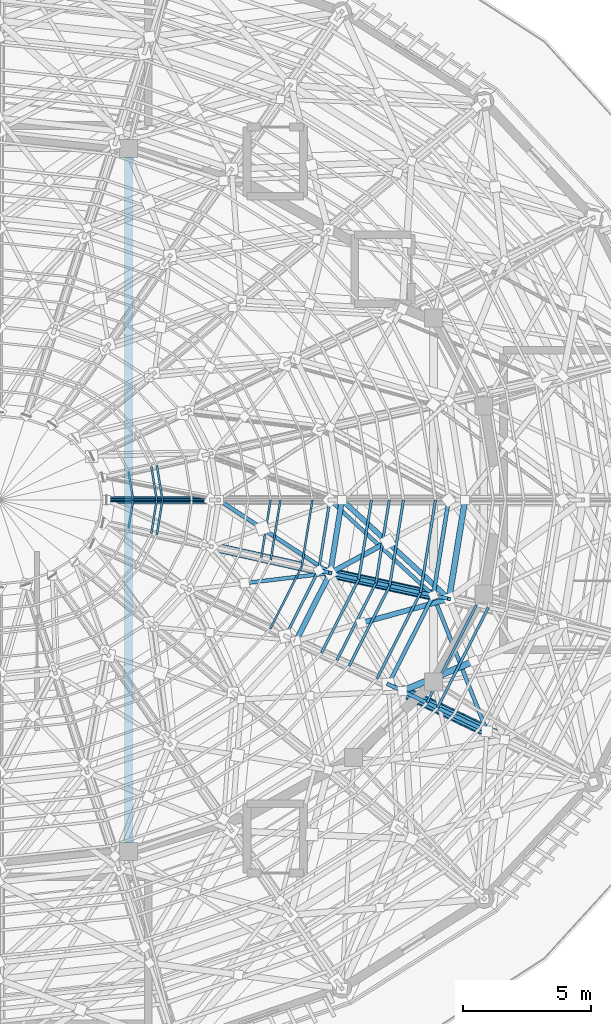
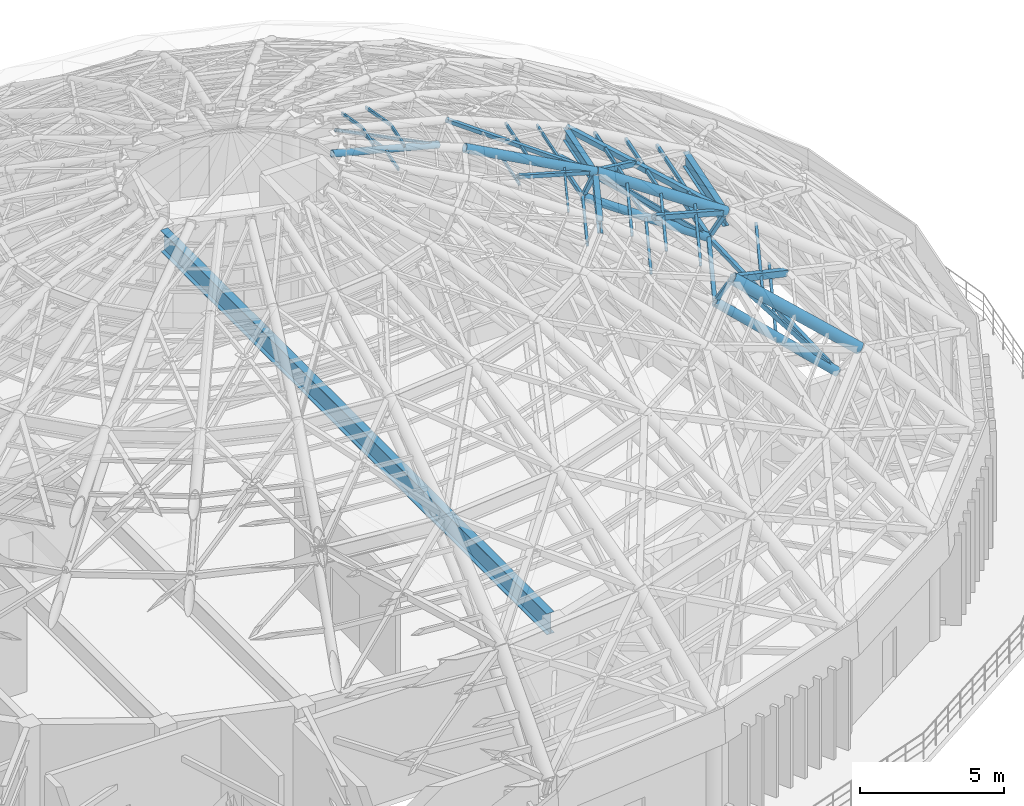
# One storey, part 20 of 50: 44 members, 4 beams.
"""IFC4 building model written with IfcOpenShell, lengths in metres."""

from ifc_helpers import new_model, si_unit, direction, frame, origin, origin_2d, place, context, subcontext, project, spatial, hollow_rectangle, hollow_circle, i_section, extrude, material, material_profile, profile_set, type_object, element, save


model = new_model("IFC4")

# Units and contexts
model_context = context("Model", 3, precision=1e-05, world=origin(), true_north=direction((0.0, 1.0)))
body_context = subcontext(model_context, "Body", "Model", "MODEL_VIEW")
ifc_project = project(units=[si_unit("LENGTHUNIT", "METRE"), si_unit("AREAUNIT", "SQUARE_METRE"), si_unit("VOLUMEUNIT", "CUBIC_METRE"), si_unit("PLANEANGLEUNIT", "RADIAN"), si_unit("MASSUNIT", "GRAM", prefix="KILO")], contexts=[model_context])

# Site, building, storey
site_placement = place(None, origin())
site = spatial("IfcSite", under=ifc_project, at=site_placement, CompositionType="ELEMENT")
building_placement = place(site_placement, origin())
building = spatial("IfcBuilding", under=site, at=building_placement, Name="Cinderbank Siding Concert Hall", CompositionType="ELEMENT")
storey_placement = place(building_placement, frame((0.0, 0.0, 23.699951171875)))
storey = spatial("IfcBuildingStorey", under=building, at=storey_placement, Name="L06", CompositionType="ELEMENT", Elevation=23.699951171875)

# Beams
ifc_material_1 = material(Name="Structural steel AS/NZS 3679.1 Grade 350 (340 MPa)", Category="steel")
ifc_material_profile_1 = material_profile(ifc_material_1, i_section(OverallWidth=0.208984375, OverallDepth=0.532958984375, WebThickness=0.01025390625, FlangeThickness=0.015625, at=origin_2d()), Name="530UB92.4", Category="LoadBearing")
ifc_profile_set_1 = profile_set([ifc_material_profile_1], Name="Structural steel AS/NZS 3679.1 Grade 350 (340 MPa)")
beam_type_1 = type_object("IfcBeamType", Name="BM-UB530H 530UB92.4", PredefinedType="BEAM", material=ifc_profile_set_1)
beam_1_placement = place(storey_placement, frame((133.604736328125, 38.5, 13.733642578125), z_axis=(0.450464034006, 0.892794575514, 0.0), x_axis=(-0.892794575514, 0.450464034006, 0.0)))
element("IfcBeam", 1, at=beam_1_placement, inside=storey, type_object=beam_type_1, Name="L06 Beam BM-UB530H #2092", PredefinedType="BEAM", context=body_context, shape_type="SweptSolid", body=[
    extrude(i_section(OverallWidth=0.208984375, OverallDepth=0.532958984375, WebThickness=0.01025390625, FlangeThickness=0.015625, at=origin_2d()), origin(), (0.0, 0.0, 1.0), 2.9716796875),
])
beam_2_placement = place(storey_placement, frame((134.943359375, 41.153076171875, 13.733642578125), z_axis=(0.158340547868, 0.987384560797, 0.0), x_axis=(-0.987384560797, 0.158340547868, 0.0)))
element("IfcBeam", 2, at=beam_2_placement, inside=storey, type_object=beam_type_1, Name="L06 Beam BM-UB530H #2093", PredefinedType="BEAM", context=body_context, shape_type="SweptSolid", body=[
    extrude(i_section(OverallWidth=0.208984375, OverallDepth=0.532958984375, WebThickness=0.01025390625, FlangeThickness=0.015625, at=origin_2d()), origin(), (0.0, 0.0, 1.0), 2.88330078125),
])
ifc_material_profile_2 = material_profile(ifc_material_1, i_section(OverallWidth=0.22900390625, OverallDepth=0.611572265625, WebThickness=0.011962890625, FlangeThickness=0.01953125, at=origin_2d()), Name="610UB125", Category="LoadBearing")
ifc_profile_set_2 = profile_set([ifc_material_profile_2], Name="Structural steel AS/NZS 3679.1 Grade 350 (340 MPa)")
beam_type_2 = type_object("IfcBeamType", Name="BM-UB610H 610UB125", PredefinedType="BEAM", material=ifc_profile_set_2)
beam_3_placement = place(storey_placement, frame((139.579833984375, 40.1435546875, 10.994140625), z_axis=(0.158760786177, 0.987317078133, 0.0), x_axis=(-0.987317078133, 0.158760786177, 0.0)))
element("IfcBeam", 3, at=beam_3_placement, inside=storey, type_object=beam_type_2, Name="L06 Beam BM-UB610H #2071", PredefinedType="BEAM", context=body_context, shape_type="SweptSolid", body=[
    extrude(i_section(OverallWidth=0.22900390625, OverallDepth=0.611572265625, WebThickness=0.011962890625, FlangeThickness=0.01953125, at=origin_2d()), origin(), (0.0, 0.0, 1.0), 3.906005859375),
])
ifc_material_2 = material(Name="Structural steel welded plate section AS/NZS 3679.2 / AS/NZS 3678 Grade 350 (340 MPa)", Category="steel")
ifc_material_profile_3 = material_profile(ifc_material_2, i_section(OverallWidth=0.300048828125, OverallDepth=0.89990234375, WebThickness=0.013916015625, FlangeThickness=0.02490234375, at=origin_2d()), Name="900WB218", Category="LoadBearing")
ifc_profile_set_3 = profile_set([ifc_material_profile_3], Name="Structural steel welded plate section AS/NZS 3679.2 / AS/NZS 3678 Grade 350 (340 MPa)")
beam_type_3 = type_object("IfcBeamType", Name="BM-WB900 900WB218", PredefinedType="BEAM", material=ifc_profile_set_3)
beam_4_placement = place(storey_placement, frame((127.072998046875, 57.3740234375, 4.052001953125), z_axis=(0.0, -1.0, 0.0), x_axis=(1.0, 0.0, 0.0)))
element("IfcBeam", 4, at=beam_4_placement, inside=storey, type_object=beam_type_3, Name="L06 Beam BM-WB900 #123", PredefinedType="BEAM", context=body_context, shape_type="SweptSolid", body=[
    extrude(i_section(OverallWidth=0.300048828125, OverallDepth=0.89990234375, WebThickness=0.013916015625, FlangeThickness=0.02490234375, at=origin_2d()), origin(), (0.0, 0.0, 1.0), 26.748046875),
])

# Members
ifc_material_3 = material(Name="Structural steel hollow section AS/NZS 1163 Grade C350L0 (350 MPa)", Category="steel")
ifc_material_profile_4 = material_profile(ifc_material_3, hollow_circle(Radius=0.06982421875, WallThickness=0.00634765625, at=origin_2d()), Name="139.7x6.4CHS", Category="LoadBearing")
ifc_profile_set_4 = profile_set([ifc_material_profile_4], Name="Structural steel hollow section AS/NZS 1163 Grade C350L0 (350 MPa)")
member_type_1 = type_object("IfcMemberType", Name="BR-CHS139 139.7x6.4CHS Roof Truss", PredefinedType="BRACE", material=ifc_profile_set_4)
member_1_placement = place(storey_placement, frame((130.299072265625, 44.0, 15.050048828125), z_axis=(-0.894384571831, 0.0, 0.447298823685), x_axis=(0.0, -1.0, 0.0)))
element("IfcMember", 5, at=member_1_placement, inside=storey, type_object=member_type_1, Name="L06 Diagonal Brace BR-CHS139 #DWBD-BR-CHS139-L06-1682", PredefinedType="BRACE", context=body_context, shape_type="SweptSolid", body=[
    extrude(hollow_circle(Radius=0.06982421875, WallThickness=0.00634765625, at=origin_2d()), origin(), (0.0, 0.0, 1.0), 4.583251953125),
])
ifc_material_profile_5 = material_profile(ifc_material_3, hollow_rectangle(XDim=0.14990234375, YDim=0.14990234375, WallThickness=0.008056640625, at=origin_2d()), Name="150x150x8.0SHS", Category="LoadBearing")
ifc_profile_set_5 = profile_set([ifc_material_profile_5], Name="Structural steel hollow section AS/NZS 1163 Grade C350L0 (350 MPa)")
member_type_2 = type_object("IfcMemberType", Name="BR-SHS150 150x150x8.0SHS Roof Truss", PredefinedType="BRACE", material=ifc_profile_set_5)
member_2_placement = place(storey_placement, frame((141.05419921875, 34.977294921875, 7.150146484375), z_axis=(-0.595826022207, 0.28461450653, 0.750989969263), x_axis=(-0.431029288808, -0.902337936801, 0.0)))
element("IfcMember", 6, at=member_2_placement, inside=storey, type_object=member_type_2, Name="L06 Diagonal Brace BR-SHS150 #DWBD-BR-SHS150-L06-1082", PredefinedType="BRACE", context=body_context, shape_type="SweptSolid", body=[
    extrude(hollow_rectangle(XDim=0.14990234375, YDim=0.14990234375, WallThickness=0.008056640625, at=origin_2d()), origin(), (0.0, 0.0, 1.0), 5.52587890625),
])
member_3_placement = place(storey_placement, frame((141.05419921875, 34.977294921875, 7.150146484375), z_axis=(-0.319742572915, 0.811180071069, 0.489644339666), x_axis=(-0.930335319944, -0.366709956866, 0.0)))
element("IfcMember", 7, at=member_3_placement, inside=storey, type_object=member_type_2, Name="L06 Diagonal Brace BR-SHS150 #DBRI-BR-SHS150-L06-1091", PredefinedType="BRACE", context=body_context, shape_type="SweptSolid", body=[
    extrude(hollow_rectangle(XDim=0.14990234375, YDim=0.14990234375, WallThickness=0.008056640625, at=origin_2d()), origin(), (0.0, 0.0, 1.0), 6.53515625),
])
member_4_placement = place(storey_placement, frame((137.2099609375, 36.810791015625, 10.35009765625), z_axis=(0.488677434703, -0.23093252224, 0.841346857713), x_axis=(0.427260709515, 0.9041284677, 0.0)))
element("IfcMember", 8, at=member_4_placement, inside=storey, type_object=member_type_2, Name="L06 Diagonal Brace BR-SHS150 #DWBV-BR-SHS150-L06-1373", PredefinedType="BRACE", context=body_context, shape_type="SweptSolid", body=[
    extrude(hollow_rectangle(XDim=0.14990234375, YDim=0.14990234375, WallThickness=0.008056640625, at=origin_2d()), origin(), (0.0, 0.0, 1.0), 1.129150390625),
])
member_5_placement = place(storey_placement, frame((138.964599609375, 40.278564453125, 10.35009765625), z_axis=(-0.731050843587, 0.158983918507, 0.663542596784), x_axis=(-0.212505996554, -0.97715976249, 0.0)))
element("IfcMember", 9, at=member_5_placement, inside=storey, type_object=member_type_2, Name="L06 Diagonal Brace BR-SHS150 #DWBD-BR-SHS150-L06-1382", PredefinedType="BRACE", context=body_context, shape_type="SweptSolid", body=[
    extrude(hollow_rectangle(XDim=0.14990234375, YDim=0.14990234375, WallThickness=0.008056640625, at=origin_2d()), origin(), (0.0, 0.0, 1.0), 5.500732421875),
])
member_6_placement = place(storey_placement, frame((138.964599609375, 40.278564453125, 10.35009765625), z_axis=(0.539773108895, -0.118450210008, 0.833435383616), x_axis=(0.214344160509, 0.976758199789, 0.0)))
element("IfcMember", 10, at=member_6_placement, inside=storey, type_object=member_type_2, Name="L06 Diagonal Brace BR-SHS150 #DWBV-BR-SHS150-L06-1385", PredefinedType="BRACE", context=body_context, shape_type="SweptSolid", body=[
    extrude(hollow_rectangle(XDim=0.14990234375, YDim=0.14990234375, WallThickness=0.008056640625, at=origin_2d()), origin(), (0.0, 0.0, 1.0), 1.139892578125),
])
member_7_placement = place(storey_placement, frame((138.964599609375, 40.278564453125, 10.35009765625), z_axis=(-0.659495450342, 0.608442631011, 0.441433251745), x_axis=(-0.678086078663, -0.734982496338, 0.0)))
element("IfcMember", 11, at=member_7_placement, inside=storey, type_object=member_type_2, Name="L06 Diagonal Brace BR-SHS150 #DBRI-BR-SHS150-L06-1391", PredefinedType="BRACE", context=body_context, shape_type="SweptSolid", body=[
    extrude(hollow_rectangle(XDim=0.14990234375, YDim=0.14990234375, WallThickness=0.008056640625, at=origin_2d()), origin(), (0.0, 0.0, 1.0), 6.1162109375),
])
member_8_placement = place(storey_placement, frame((134.943359375, 41.153076171875, 14.0), z_axis=(-0.93389252243, -0.110977800298, 0.339895107922), x_axis=(0.118003322633, -0.993013200238, 0.0)))
element("IfcMember", 12, at=member_8_placement, inside=storey, type_object=member_type_2, Name="L06 Diagonal Brace BR-SHS150 #DBRO-BR-SHS150-L06-1666", PredefinedType="BRACE", context=body_context, shape_type="SweptSolid", body=[
    extrude(hollow_rectangle(XDim=0.14990234375, YDim=0.14990234375, WallThickness=0.008056640625, at=origin_2d()), origin(), (0.0, 0.0, 1.0), 3.5771484375),
])
member_9_placement = place(storey_placement, frame((134.490478515625, 41.252685546875, 13.050048828125), z_axis=(0.428423947592, -0.09423017284, 0.898650986566), x_axis=(0.214811563111, 0.976655513655, 0.0)))
element("IfcMember", 13, at=member_9_placement, inside=storey, type_object=member_type_2, Name="L06 Diagonal Brace BR-SHS150 #DWBV-BR-SHS150-L06-1673", PredefinedType="BRACE", context=body_context, shape_type="SweptSolid", body=[
    extrude(hollow_rectangle(XDim=0.14990234375, YDim=0.14990234375, WallThickness=0.008056640625, at=origin_2d()), origin(), (0.0, 0.0, 1.0), 1.05712890625),
])
member_10_placement = place(storey_placement, frame((134.943359375, 41.153076171875, 14.0), z_axis=(-0.780464451769, 0.511579312652, 0.359390938105), x_axis=(-0.548206587498, -0.836342954429, 0.0)))
element("IfcMember", 14, at=member_10_placement, inside=storey, type_object=member_type_2, Name="L06 Diagonal Brace BR-SHS150 #DBRO-BR-SHS150-L06-1677", PredefinedType="BRACE", context=body_context, shape_type="SweptSolid", body=[
    extrude(hollow_rectangle(XDim=0.14990234375, YDim=0.14990234375, WallThickness=0.008056640625, at=origin_2d()), origin(), (0.0, 0.0, 1.0), 5.56494140625),
])
ifc_material_profile_6 = material_profile(ifc_material_3, hollow_rectangle(XDim=0.199951171875, YDim=0.199951171875, WallThickness=0.009033203125, at=origin_2d()), Name="200x200x9.0SHS", Category="LoadBearing")
ifc_profile_set_6 = profile_set([ifc_material_profile_6], Name="Structural steel hollow section AS/NZS 1163 Grade C350L0 (350 MPa)")
member_type_3 = type_object("IfcMemberType", Name="BR-SHS200 200x200x9.0SHS Roof Truss", PredefinedType="BRACE", material=ifc_profile_set_6)
member_11_placement = place(storey_placement, frame((139.579833984375, 40.1435546875, 11.300048828125), z_axis=(-0.883924074417, -0.243109044486, 0.399469927723), x_axis=(0.26518682948, -0.964197047014, 0.0)))
element("IfcMember", 15, at=member_11_placement, inside=storey, type_object=member_type_3, Name="L06 Diagonal Brace BR-SHS200 #DBRO-BR-SHS200-L06-1378", PredefinedType="BRACE", context=body_context, shape_type="SweptSolid", body=[
    extrude(hollow_rectangle(XDim=0.199951171875, YDim=0.199951171875, WallThickness=0.009033203125, at=origin_2d()), origin(), (0.0, 0.0, 1.0), 3.87548828125),
])
member_12_placement = place(storey_placement, frame((139.579833984375, 40.1435546875, 11.300048828125), z_axis=(-0.663951990184, 0.612568520352, 0.428867768205), x_axis=(-0.678094653036, -0.734974585631, 0.0)))
element("IfcMember", 16, at=member_12_placement, inside=storey, type_object=member_type_3, Name="L06 Diagonal Brace BR-SHS200 #DBRO-BR-SHS200-L06-1389", PredefinedType="BRACE", context=body_context, shape_type="SweptSolid", body=[
    extrude(hollow_rectangle(XDim=0.199951171875, YDim=0.199951171875, WallThickness=0.009033203125, at=origin_2d()), origin(), (0.0, 0.0, 1.0), 6.295654296875),
])
member_13_placement = place(storey_placement, frame((137.16357421875, 42.35546875, 12.859619140625), z_axis=(-0.801382165454, -0.434001227718, 0.411618220237), x_axis=(0.476214618135, -0.879329083719, 0.0)))
element("IfcMember", 17, at=member_13_placement, inside=storey, type_object=member_type_3, Name="L06 Diagonal Brace BR-SHS200 #DBRO-BR-SHS200-L06-1390-S128", PredefinedType="BRACE", context=body_context, shape_type="SweptSolid", body=[
    extrude(hollow_rectangle(XDim=0.199951171875, YDim=0.199951171875, WallThickness=0.009033203125, at=origin_2d()), origin(), (0.0, 0.0, 1.0), 2.7705078125),
])
ifc_material_profile_7 = material_profile(ifc_material_3, hollow_rectangle(XDim=0.25, YDim=0.25, WallThickness=0.010009765625, at=origin_2d()), Name="250x250x10.0SHS", Category="LoadBearing")
ifc_profile_set_7 = profile_set([ifc_material_profile_7], Name="Structural steel hollow section AS/NZS 1163 Grade C350L0 (350 MPa)")
member_type_4 = type_object("IfcMemberType", Name="BR-SHS250 250x250x10.0SHS Roof Truss", PredefinedType="BRACE", material=ifc_profile_set_7)
member_14_placement = place(storey_placement, frame((140.527099609375, 37.702880859375, 9.88671875), z_axis=(-0.834786362897, -0.348005756652, 0.426642381461), x_axis=(0.384783174657, -0.923006992661, 0.0)))
element("IfcMember", 18, at=member_14_placement, inside=storey, type_object=member_type_4, Name="L06 Diagonal Brace BR-SHS250 #DBRO-BR-SHS250-L06-1090-S103", PredefinedType="BRACE", context=body_context, shape_type="SweptSolid", body=[
    extrude(hollow_rectangle(XDim=0.25, YDim=0.25, WallThickness=0.010009765625, at=origin_2d()), origin(), (0.0, 0.0, 1.0), 3.312744140625),
])
ifc_material_profile_8 = material_profile(ifc_material_3, hollow_circle(Radius=0.136474609375, WallThickness=0.00927734375, at=origin_2d()), Name="273.1x9.3CHS", Category="LoadBearing")
ifc_profile_set_8 = profile_set([ifc_material_profile_8], Name="Structural steel hollow section AS/NZS 1163 Grade C350L0 (350 MPa)")
member_type_5 = type_object("IfcMemberType", Name="DR-CHS273 273.1x9.3CHS Roof Truss", PredefinedType="RAFTER", material=ifc_profile_set_8)
member_15_placement = place(storey_placement, frame((130.299072265625, 44.0, 15.050048828125), z_axis=(-0.968037950521, 0.0, 0.25080376064), x_axis=(0.0, -1.0, 0.0)))
element("IfcMember", 19, at=member_15_placement, inside=storey, type_object=member_type_5, Name="L06 Roof Truss Member DR-CHS273 #1681", PredefinedType="RAFTER", context=body_context, shape_type="SweptSolid", body=[
    extrude(hollow_circle(Radius=0.136474609375, WallThickness=0.00927734375, at=origin_2d()), origin(), (0.0, 0.0, 1.0), 4.38623046875),
])
ifc_material_profile_9 = material_profile(ifc_material_3, hollow_circle(Radius=0.161865234375, WallThickness=0.0126953125, at=origin_2d()), Name="323.9x12.7CHS", Category="LoadBearing")
ifc_profile_set_9 = profile_set([ifc_material_profile_9], Name="Structural steel hollow section AS/NZS 1163 Grade C350L0 (350 MPa)")
member_type_6 = type_object("IfcMemberType", Name="DR-CHS323 323.9x12.7CHS Roof Truss", PredefinedType="RAFTER", material=ifc_profile_set_9)
member_16_placement = place(storey_placement, frame((138.964599609375, 40.278564453125, 10.35009765625), z_axis=(-0.84168436413, 0.183254426109, 0.507922480788), x_axis=(-0.212739533532, -0.977108945242, 0.0)))
element("IfcMember", 20, at=member_16_placement, inside=storey, type_object=member_type_6, Name="L06 Roof Truss Member DR-CHS323 #1381", PredefinedType="RAFTER", context=body_context, shape_type="SweptSolid", body=[
    extrude(hollow_circle(Radius=0.161865234375, WallThickness=0.0126953125, at=origin_2d()), origin(), (0.0, 0.0, 1.0), 5.315673828125),
])
ifc_material_profile_10 = material_profile(ifc_material_3, hollow_circle(Radius=0.177734375, WallThickness=0.0126953125, at=origin_2d()), Name="355.6x12.7CHS", Category="LoadBearing")
ifc_profile_set_10 = profile_set([ifc_material_profile_10], Name="Structural steel hollow section AS/NZS 1163 Grade C350L0 (350 MPa)")
member_type_7 = type_object("IfcMemberType", Name="DR-CHS355 355.6x12.7CHS Roof Truss", PredefinedType="RAFTER", material=ifc_profile_set_10)
member_17_placement = place(storey_placement, frame((141.05419921875, 34.977294921875, 7.150146484375), z_axis=(-0.721618143881, 0.344173266896, 0.600676299495), x_axis=(-0.430489767889, -0.902595457413, 0.0)))
element("IfcMember", 21, at=member_17_placement, inside=storey, type_object=member_type_7, Name="L06 Roof Truss Member DR-CHS355 #1081", PredefinedType="RAFTER", context=body_context, shape_type="SweptSolid", body=[
    extrude(hollow_circle(Radius=0.177734375, WallThickness=0.0126953125, at=origin_2d()), origin(), (0.0, 0.0, 1.0), 5.3271484375),
])
member_18_placement = place(storey_placement, frame((134.943359375, 41.153076171875, 14.0), z_axis=(-0.899507554833, 0.200827340977, 0.388013579548), x_axis=(-0.217898925062, -0.975971341002, 0.0)))
element("IfcMember", 22, at=member_18_placement, inside=storey, type_object=member_type_7, Name="L06 Roof Truss Member DR-CHS355 #1668", PredefinedType="RAFTER", context=body_context, shape_type="SweptSolid", body=[
    extrude(hollow_circle(Radius=0.177734375, WallThickness=0.0126953125, at=origin_2d()), origin(), (0.0, 0.0, 1.0), 5.154541015625),
])
ifc_material_profile_11 = material_profile(ifc_material_3, hollow_circle(Radius=0.203125, WallThickness=0.01611328125, at=origin_2d()), Name="406.4x16.0CHS", Category="LoadBearing")
ifc_profile_set_11 = profile_set([ifc_material_profile_11], Name="Structural steel hollow section AS/NZS 1163 Grade C350L0 (350 MPa)")
member_type_8 = type_object("IfcMemberType", Name="DR-CHS406 406.4x16.0CHS Roof Truss", PredefinedType="RAFTER", material=ifc_profile_set_11)
member_19_placement = place(storey_placement, frame((139.579833984375, 40.1435546875, 11.300048828125), z_axis=(-0.849254264776, 0.18491213653, 0.494544937821), x_axis=(-0.212750040998, -0.977106657461, 0.0)))
element("IfcMember", 23, at=member_19_placement, inside=storey, type_object=member_type_8, Name="L06 Roof Truss Member DR-CHS406 #1380", PredefinedType="RAFTER", context=body_context, shape_type="SweptSolid", body=[
    extrude(hollow_circle(Radius=0.203125, WallThickness=0.01611328125, at=origin_2d()), origin(), (0.0, 0.0, 1.0), 5.45947265625),
])
ifc_material_profile_12 = material_profile(ifc_material_3, hollow_circle(Radius=0.228515625, WallThickness=0.01611328125, at=origin_2d()), Name="457.0x16.0CHS", Category="LoadBearing")
ifc_profile_set_12 = profile_set([ifc_material_profile_12], Name="Structural steel hollow section AS/NZS 1163 Grade C350L0 (350 MPa)")
member_type_9 = type_object("IfcMemberType", Name="DR-CHS457 457.0x16.0CHS Roof Truss", PredefinedType="RAFTER", material=ifc_profile_set_12)
member_20_placement = place(storey_placement, frame((141.745361328125, 34.64990234375, 8.10009765625), z_axis=(-0.73073263404, 0.348550106682, 0.586977546998), x_axis=(-0.430519669304, -0.902581195429, 0.0)))
element("IfcMember", 24, at=member_20_placement, inside=storey, type_object=member_type_9, Name="L06 Roof Truss Member DR-CHS457 #1080", PredefinedType="RAFTER", context=body_context, shape_type="SweptSolid", body=[
    extrude(hollow_circle(Radius=0.228515625, WallThickness=0.01611328125, at=origin_2d()), origin(), (0.0, 0.0, 1.0), 5.45166015625),
])
ifc_material_profile_13 = material_profile(ifc_material_3, hollow_rectangle(XDim=0.074951171875, YDim=0.125, WallThickness=0.0048828125, at=origin_2d()), Name="125x75x5.0RHS", Category="LoadBearing")
ifc_profile_set_13 = profile_set([ifc_material_profile_13], Name="Structural steel hollow section AS/NZS 1163 Grade C350L0 (350 MPa)")
member_type_10 = type_object("IfcMemberType", Name="PR-RHS125 125x75x5.0RHS Roof Truss", PredefinedType="PURLIN", material=ifc_profile_set_13)
member_21_placement = place(storey_placement, frame((132.60693359375, 38.97998046875, 14.47998046875), z_axis=(0.451060515415, 0.892493367725, 0.0), x_axis=(-0.892493367725, 0.451060515415, 0.0)))
element("IfcMember", 25, at=member_21_placement, inside=storey, type_object=member_type_10, Name="L06 Roof Truss Member PR-RHS125 #1662", PredefinedType="PURLIN", context=body_context, shape_type="SweptSolid", body=[
    extrude(hollow_rectangle(XDim=0.074951171875, YDim=0.125, WallThickness=0.0048828125, at=origin_2d()), origin(), (0.0, 0.0, 1.0), 2.71337890625),
])
member_22_placement = place(storey_placement, frame((132.25341796875, 41.752197265625, 14.050048828125), z_axis=(0.15881436208, 0.987308461625, 0.0), x_axis=(-0.987308461625, 0.15881436208, 0.0)))
element("IfcMember", 26, at=member_22_placement, inside=storey, type_object=member_type_10, Name="L06 Roof Truss Member PR-RHS125 #1672", PredefinedType="PURLIN", context=body_context, shape_type="SweptSolid", body=[
    extrude(hollow_rectangle(XDim=0.074951171875, YDim=0.125, WallThickness=0.0048828125, at=origin_2d()), origin(), (0.0, 0.0, 1.0), 2.276611328125),
])
member_23_placement = place(storey_placement, frame((133.830810546875, 41.401611328125, 14.47998046875), z_axis=(0.158544057457, 0.987351903753, 0.0), x_axis=(-0.987351903753, 0.158544057457, 0.0)))
element("IfcMember", 27, at=member_23_placement, inside=storey, type_object=member_type_10, Name="L06 Roof Truss Member PR-RHS125 #1674", PredefinedType="PURLIN", context=body_context, shape_type="SweptSolid", body=[
    extrude(hollow_rectangle(XDim=0.074951171875, YDim=0.125, WallThickness=0.0048828125, at=origin_2d()), origin(), (0.0, 0.0, 1.0), 2.631591796875),
])
member_24_placement = place(storey_placement, frame((132.625244140625, 41.670654296875, 15.0), z_axis=(0.158842014488, 0.987304013176, 0.0), x_axis=(-0.987304013176, 0.158842014488, 0.0)))
element("IfcMember", 28, at=member_24_placement, inside=storey, type_object=member_type_10, Name="L06 Roof Truss Member PR-RHS125 #1675", PredefinedType="PURLIN", context=body_context, shape_type="SweptSolid", body=[
    extrude(hollow_rectangle(XDim=0.074951171875, YDim=0.125, WallThickness=0.0048828125, at=origin_2d()), origin(), (0.0, 0.0, 1.0), 2.359375),
])
member_25_placement = place(storey_placement, frame((128.176025390625, 44.0, 15.60009765625), z_axis=(-0.159973412457, 0.987121323499, 0.0), x_axis=(-0.987121323499, -0.159973412457, 0.0)))
element("IfcMember", 29, at=member_25_placement, inside=storey, type_object=member_type_10, Name="L06 Roof Truss Member PR-RHS125 #1684", PredefinedType="PURLIN", context=body_context, shape_type="SweptSolid", body=[
    extrude(hollow_rectangle(XDim=0.074951171875, YDim=0.125, WallThickness=0.0048828125, at=origin_2d()), origin(), (0.0, 0.0, 1.0), 1.3154296875),
])
member_26_placement = place(storey_placement, frame((128.39990234375, 44.0, 16.550048828125), z_axis=(-0.159924955283, 0.987129175274, 0.0), x_axis=(-0.987129175274, -0.159924955283, 0.0)))
element("IfcMember", 30, at=member_26_placement, inside=storey, type_object=member_type_10, Name="L06 Roof Truss Member PR-RHS125 #1687", PredefinedType="PURLIN", context=body_context, shape_type="SweptSolid", body=[
    extrude(hollow_rectangle(XDim=0.074951171875, YDim=0.125, WallThickness=0.0048828125, at=origin_2d()), origin(), (0.0, 0.0, 1.0), 1.36328125),
])
member_27_placement = place(storey_placement, frame((127.256103515625, 44.0, 16.8359375), z_axis=(-0.160289688382, 0.987070015652, 0.0), x_axis=(-0.987070015652, -0.160289688382, 0.0)))
element("IfcMember", 31, at=member_27_placement, inside=storey, type_object=member_type_10, Name="L06 Roof Truss Member PR-RHS125 #1688", PredefinedType="PURLIN", context=body_context, shape_type="SweptSolid", body=[
    extrude(hollow_rectangle(XDim=0.074951171875, YDim=0.125, WallThickness=0.0048828125, at=origin_2d()), origin(), (0.0, 0.0, 1.0), 1.117919921875),
])
member_28_placement = place(storey_placement, frame((127.965576171875, 42.701416015625, 15.60009765625), z_axis=(0.159973412457, 0.987121323499, 0.0), x_axis=(-0.987121323499, 0.159973412457, 0.0)))
element("IfcMember", 32, at=member_28_placement, inside=storey, type_object=member_type_10, Name="L06 Roof Truss Member PR-RHS125 #1914", PredefinedType="PURLIN", context=body_context, shape_type="SweptSolid", body=[
    extrude(hollow_rectangle(XDim=0.074951171875, YDim=0.125, WallThickness=0.0048828125, at=origin_2d()), origin(), (0.0, 0.0, 1.0), 1.3154296875),
])
member_29_placement = place(storey_placement, frame((128.181884765625, 42.654296875, 16.550048828125), z_axis=(0.159924955283, 0.987129175274, 0.0), x_axis=(-0.987129175274, 0.159924955283, 0.0)))
element("IfcMember", 33, at=member_29_placement, inside=storey, type_object=member_type_10, Name="L06 Roof Truss Member PR-RHS125 #1917", PredefinedType="PURLIN", context=body_context, shape_type="SweptSolid", body=[
    extrude(hollow_rectangle(XDim=0.074951171875, YDim=0.125, WallThickness=0.0048828125, at=origin_2d()), origin(), (0.0, 0.0, 1.0), 1.36328125),
])
member_30_placement = place(storey_placement, frame((127.076904296875, 42.896484375, 16.8359375), z_axis=(0.160289688382, 0.987070015652, 0.0), x_axis=(-0.987070015652, 0.160289688382, 0.0)))
element("IfcMember", 34, at=member_30_placement, inside=storey, type_object=member_type_10, Name="L06 Roof Truss Member PR-RHS125 #1918", PredefinedType="PURLIN", context=body_context, shape_type="SweptSolid", body=[
    extrude(hollow_rectangle(XDim=0.074951171875, YDim=0.125, WallThickness=0.0048828125, at=origin_2d()), origin(), (0.0, 0.0, 1.0), 1.117919921875),
])
ifc_material_profile_14 = material_profile(ifc_material_3, hollow_rectangle(XDim=0.10009765625, YDim=0.14990234375, WallThickness=0.006103515625, at=origin_2d()), Name="150x100x6.0RHS", Category="LoadBearing")
ifc_profile_set_14 = profile_set([ifc_material_profile_14], Name="Structural steel hollow section AS/NZS 1163 Grade C350L0 (350 MPa)")
member_type_11 = type_object("IfcMemberType", Name="PR-RHS150 150x100x6.0RHS Roof Truss", PredefinedType="PURLIN", material=ifc_profile_set_14)
member_31_placement = place(storey_placement, frame((135.204345703125, 37.751708984375, 11.699951171875), z_axis=(0.451055615368, 0.892495844161, 0.0), x_axis=(-0.892495844161, 0.451055615368, 0.0)))
element("IfcMember", 35, at=member_31_placement, inside=storey, type_object=member_type_11, Name="L06 Roof Truss Member PR-RHS150 #1372", PredefinedType="PURLIN", context=body_context, shape_type="SweptSolid", body=[
    extrude(hollow_rectangle(XDim=0.10009765625, YDim=0.14990234375, WallThickness=0.006103515625, at=origin_2d()), origin(), (0.0, 0.0, 1.0), 3.376953125),
])
member_32_placement = place(storey_placement, frame((136.763916015625, 37.01806640625, 11.947998046875), z_axis=(0.451271460716, 0.892386726001, 0.0), x_axis=(-0.892386726001, 0.451271460716, 0.0)))
element("IfcMember", 36, at=member_32_placement, inside=storey, type_object=member_type_11, Name="L06 Roof Truss Member PR-RHS150 #1374", PredefinedType="PURLIN", context=body_context, shape_type="SweptSolid", body=[
    extrude(hollow_rectangle(XDim=0.10009765625, YDim=0.14990234375, WallThickness=0.006103515625, at=origin_2d()), origin(), (0.0, 0.0, 1.0), 3.774169921875),
])
member_33_placement = place(storey_placement, frame((135.68310546875, 37.52490234375, 12.650146484375), z_axis=(0.451088218669, 0.892479366136, 0.0), x_axis=(-0.892479366136, 0.451088218669, 0.0)))
element("IfcMember", 37, at=member_33_placement, inside=storey, type_object=member_type_11, Name="L06 Roof Truss Member PR-RHS150 #1375", PredefinedType="PURLIN", context=body_context, shape_type="SweptSolid", body=[
    extrude(hollow_rectangle(XDim=0.10009765625, YDim=0.14990234375, WallThickness=0.006103515625, at=origin_2d()), origin(), (0.0, 0.0, 1.0), 3.49951171875),
])
member_34_placement = place(storey_placement, frame((134.602294921875, 38.031982421875, 13.35205078125), z_axis=(0.450813445479, 0.892618192384, 0.0), x_axis=(-0.892618192384, 0.450813445479, 0.0)))
element("IfcMember", 38, at=member_34_placement, inside=storey, type_object=member_type_11, Name="L06 Roof Truss Member PR-RHS150 #1376", PredefinedType="PURLIN", context=body_context, shape_type="SweptSolid", body=[
    extrude(hollow_rectangle(XDim=0.10009765625, YDim=0.14990234375, WallThickness=0.006103515625, at=origin_2d()), origin(), (0.0, 0.0, 1.0), 3.224853515625),
])
member_35_placement = place(storey_placement, frame((136.7275390625, 40.765625, 11.699951171875), z_axis=(0.158595064833, 0.987343711891, 0.0), x_axis=(-0.987343711891, 0.158595064833, 0.0)))
element("IfcMember", 39, at=member_35_placement, inside=storey, type_object=member_type_11, Name="L06 Roof Truss Member PR-RHS150 #1384", PredefinedType="PURLIN", context=body_context, shape_type="SweptSolid", body=[
    extrude(hollow_rectangle(XDim=0.10009765625, YDim=0.14990234375, WallThickness=0.006103515625, at=origin_2d()), origin(), (0.0, 0.0, 1.0), 3.27587890625),
])
member_36_placement = place(storey_placement, frame((138.467041015625, 40.385986328125, 11.947998046875), z_axis=(0.158739629939, 0.987320479827, 0.0), x_axis=(-0.987320479827, 0.158739629939, 0.0)))
element("IfcMember", 40, at=member_36_placement, inside=storey, type_object=member_type_11, Name="L06 Roof Truss Member PR-RHS150 #1386", PredefinedType="PURLIN", context=body_context, shape_type="SweptSolid", body=[
    extrude(hollow_rectangle(XDim=0.10009765625, YDim=0.14990234375, WallThickness=0.006103515625, at=origin_2d()), origin(), (0.0, 0.0, 1.0), 3.660400390625),
])
member_37_placement = place(storey_placement, frame((137.26171875, 40.648193359375, 12.650146484375), z_axis=(0.158576691094, 0.987346663053, 0.0), x_axis=(-0.987346663053, 0.158576691094, 0.0)))
element("IfcMember", 41, at=member_37_placement, inside=storey, type_object=member_type_11, Name="L06 Roof Truss Member PR-RHS150 #1387", PredefinedType="PURLIN", context=body_context, shape_type="SweptSolid", body=[
    extrude(hollow_rectangle(XDim=0.10009765625, YDim=0.14990234375, WallThickness=0.006103515625, at=origin_2d()), origin(), (0.0, 0.0, 1.0), 3.394775390625),
])
member_38_placement = place(storey_placement, frame((136.05615234375, 40.91064453125, 13.35205078125), z_axis=(0.158474351544, 0.987363094258, 0.0), x_axis=(-0.987363094258, 0.158474351544, 0.0)))
element("IfcMember", 42, at=member_38_placement, inside=storey, type_object=member_type_11, Name="L06 Roof Truss Member PR-RHS150 #1388", PredefinedType="PURLIN", context=body_context, shape_type="SweptSolid", body=[
    extrude(hollow_rectangle(XDim=0.10009765625, YDim=0.14990234375, WallThickness=0.006103515625, at=origin_2d()), origin(), (0.0, 0.0, 1.0), 3.12890625),
])
ifc_material_profile_15 = material_profile(ifc_material_3, hollow_rectangle(XDim=0.10009765625, YDim=0.199951171875, WallThickness=0.008056640625, at=origin_2d()), Name="200x100x8.0RHS", Category="LoadBearing")
ifc_profile_set_15 = profile_set([ifc_material_profile_15], Name="Structural steel hollow section AS/NZS 1163 Grade C350L0 (350 MPa)")
member_type_12 = type_object("IfcMemberType", Name="PR-RHS200 200x100x8.0RHS Roof Truss", PredefinedType="PURLIN", material=ifc_profile_set_15)
member_39_placement = place(storey_placement, frame((139.132080078125, 35.89404296875, 8.75), z_axis=(0.451087798858, 0.892479578322, 0.0), x_axis=(-0.892479578322, 0.451087798858, 0.0)))
element("IfcMember", 43, at=member_39_placement, inside=storey, type_object=member_type_12, Name="L06 Roof Truss Member PR-RHS200 #1084", PredefinedType="PURLIN", context=body_context, shape_type="SweptSolid", body=[
    extrude(hollow_rectangle(XDim=0.10009765625, YDim=0.199951171875, WallThickness=0.008056640625, at=origin_2d()), origin(), (0.0, 0.0, 1.0), 4.38134765625),
])
member_40_placement = place(storey_placement, frame((138.7177734375, 36.093994140625, 10.531982421875), z_axis=(0.451253681826, 0.892395716394, 0.0), x_axis=(-0.892395716394, 0.451253681826, 0.0)))
element("IfcMember", 44, at=member_40_placement, inside=storey, type_object=member_type_12, Name="L06 Roof Truss Member PR-RHS200 #1088", PredefinedType="PURLIN", context=body_context, shape_type="SweptSolid", body=[
    extrude(hollow_rectangle(XDim=0.10009765625, YDim=0.199951171875, WallThickness=0.008056640625, at=origin_2d()), origin(), (0.0, 0.0, 1.0), 4.273681640625),
])
member_41_placement = place(storey_placement, frame((133.198486328125, 38.6923828125, 13.050048828125), z_axis=(0.45051363153, 0.892769549103, 0.0), x_axis=(-0.892769549103, 0.45051363153, 0.0)))
element("IfcMember", 45, at=member_41_placement, inside=storey, type_object=member_type_12, Name="L06 Roof Truss Member PR-RHS200 #1371", PredefinedType="PURLIN", context=body_context, shape_type="SweptSolid", body=[
    extrude(hollow_rectangle(XDim=0.10009765625, YDim=0.199951171875, WallThickness=0.008056640625, at=origin_2d()), origin(), (0.0, 0.0, 1.0), 2.867919921875),
])
member_42_placement = place(storey_placement, frame((134.490478515625, 41.252685546875, 13.050048828125), z_axis=(0.15829164601, 0.987392401633, 0.0), x_axis=(-0.987392401633, 0.15829164601, 0.0)))
element("IfcMember", 46, at=member_42_placement, inside=storey, type_object=member_type_12, Name="L06 Roof Truss Member PR-RHS200 #1383", PredefinedType="PURLIN", context=body_context, shape_type="SweptSolid", body=[
    extrude(hollow_rectangle(XDim=0.10009765625, YDim=0.199951171875, WallThickness=0.008056640625, at=origin_2d()), origin(), (0.0, 0.0, 1.0), 2.782470703125),
])
ifc_material_profile_16 = material_profile(ifc_material_3, hollow_rectangle(XDim=0.14990234375, YDim=0.25, WallThickness=0.009033203125, at=origin_2d()), Name="250x150x9.0RHS", Category="LoadBearing")
ifc_profile_set_16 = profile_set([ifc_material_profile_16], Name="Structural steel hollow section AS/NZS 1163 Grade C350L0 (350 MPa)")
member_type_13 = type_object("IfcMemberType", Name="PR-RHS250 250x150x9.0RHS Roof Truss", PredefinedType="PURLIN", material=ifc_profile_set_16)
member_43_placement = place(storey_placement, frame((137.2099609375, 36.810791015625, 10.35009765625), z_axis=(0.451480187506, 0.892281144197, 0.0), x_axis=(-0.892281144197, 0.451480187506, 0.0)))
element("IfcMember", 47, at=member_43_placement, inside=storey, type_object=member_type_13, Name="L06 Roof Truss Member PR-RHS250 #1083", PredefinedType="PURLIN", context=body_context, shape_type="SweptSolid", body=[
    extrude(hollow_rectangle(XDim=0.14990234375, YDim=0.25, WallThickness=0.009033203125, at=origin_2d()), origin(), (0.0, 0.0, 1.0), 3.886474609375),
])
member_44_placement = place(storey_placement, frame((138.964599609375, 40.278564453125, 10.35009765625), z_axis=(0.158755893638, 0.987317864841, 0.0), x_axis=(-0.987317864841, 0.158755893638, 0.0)))
element("IfcMember", 48, at=member_44_placement, inside=storey, type_object=member_type_13, Name="L06 Roof Truss Member PR-RHS250 #1095", PredefinedType="PURLIN", context=body_context, shape_type="SweptSolid", body=[
    extrude(hollow_rectangle(XDim=0.14990234375, YDim=0.25, WallThickness=0.009033203125, at=origin_2d()), origin(), (0.0, 0.0, 1.0), 3.769287109375),
])

save(model, "model.ifc")
